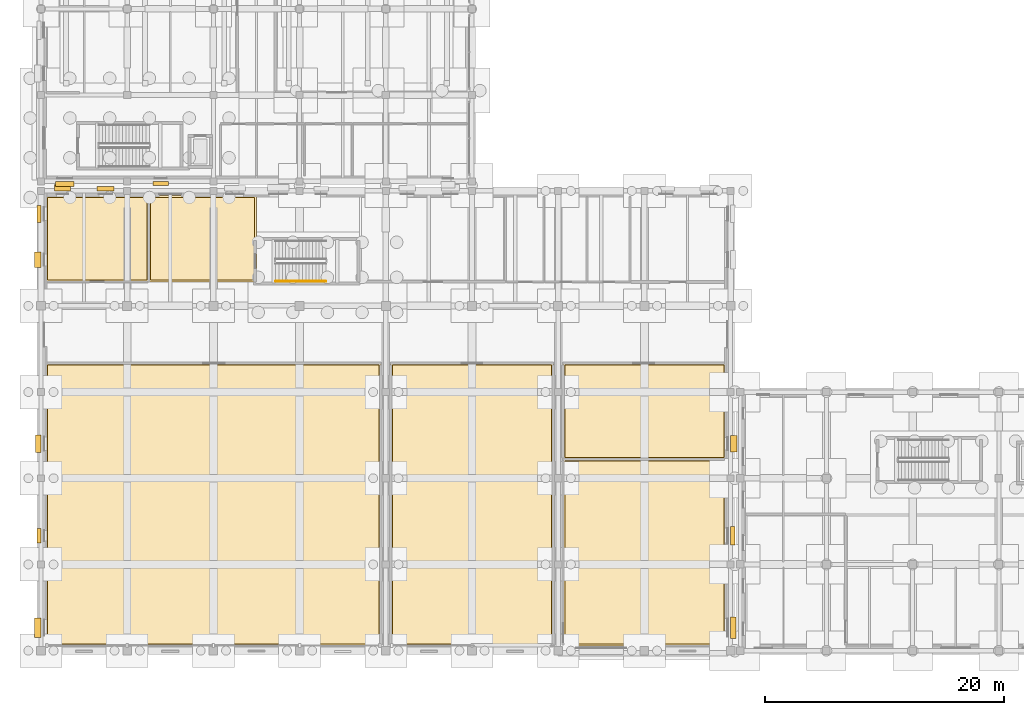
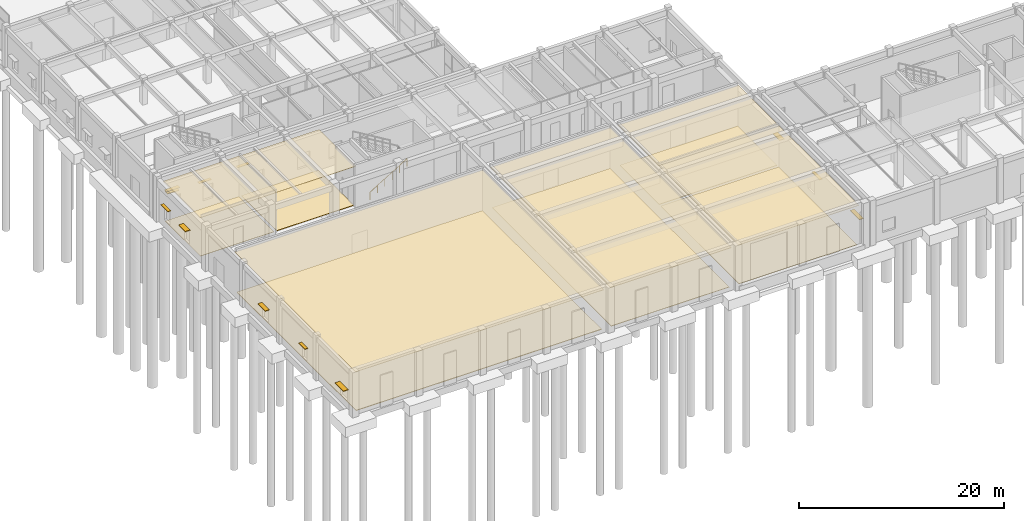
# One storey, part 80 of 91: 12 coverings, 12 shading devices, 1 railing.
"""IFC4 building model written with IfcOpenShell, lengths in metres."""

import ifcopenshell
import ifcopenshell.guid

model = None  # the IFC model being written
_history = None  # IfcOwnerHistory: only IFC2X3 demands one
_inside = {}  # id of a spatial element -> (the spatial element, [elements in it])
_under = {}  # id of a project, library or spatial element -> (it, [spatial elements below it])
_declared = {}  # id of a project -> (the project, [libraries it declares])
_typed = {}  # id of a type object -> (the type object, [elements of that type])
_made_of = {}  # id of a material, layer set ... -> (it, [elements and type objects made of it])


def new_model(schema):
    """Start an empty IFC model of exactly this schema.

    Asked for "IFC4X3", IfcOpenShell would pick the latest addendum, in which some entities
    have other attributes; the version numbers below select the first issue.
    IFC2X3 requires an IfcOwnerHistory on every rooted entity: one is made here for all.
    """
    global model, _history
    if schema == "IFC4X3":
        model = ifcopenshell.file(schema_version=(4, 3, 0, 0))
    else:
        model = ifcopenshell.file(schema=schema)
    _inside.clear()
    _under.clear()
    _declared.clear()
    _typed.clear()
    _made_of.clear()
    _history = None
    if model.schema == "IFC2X3":
        org = make("IfcOrganization", Name="unknown")
        user = make(
            "IfcPersonAndOrganization",
            ThePerson=make("IfcPerson", FamilyName="unknown"),
            TheOrganization=org,
        )
        app = make(
            "IfcApplication",
            ApplicationDeveloper=org,
            Version="unknown",
            ApplicationFullName="unknown",
            ApplicationIdentifier="unknown",
        )
        _history = make(
            "IfcOwnerHistory",
            OwningUser=user,
            OwningApplication=app,
            ChangeAction="ADDED",
            CreationDate=0,
        )
    return model


def make(cls, **values):
    """One entity of the class cls with the attributes given. An attribute that is None is left unset."""
    return model.create_entity(
        cls, **{name: value for name, value in values.items() if value is not None}
    )


def rooted(cls, **values):
    """An entity with a GlobalId (a new one), such as an element, a storey or a relation."""
    return make(cls, GlobalId=ifcopenshell.guid.new(), OwnerHistory=_history, **values)


def si_unit(unit_type, name, prefix=None):
    """IfcSIUnit, for example si_unit("LENGTHUNIT", "METRE", prefix="MILLI")."""
    return make("IfcSIUnit", UnitType=unit_type, Prefix=prefix, Name=name)


def assignment(units):
    """IfcUnitAssignment: the units of a project."""
    return None if units is None else make("IfcUnitAssignment", Units=units)


def point(xyz):
    """IfcCartesianPoint."""
    return None if xyz is None else make("IfcCartesianPoint", Coordinates=xyz)


def direction(xyz):
    """IfcDirection."""
    return None if xyz is None else make("IfcDirection", DirectionRatios=xyz)


def frame(location, z_axis=None, x_axis=None):
    """IfcAxis2Placement3D, a coordinate frame: its origin and axes. An axis left out is left unset."""
    return make(
        "IfcAxis2Placement3D",
        Location=point(location),
        Axis=direction(z_axis),
        RefDirection=direction(x_axis),
    )


def frame_2d(location, x_axis=None):
    """IfcAxis2Placement2D, a coordinate frame in the plane: its origin and x axis."""
    return make(
        "IfcAxis2Placement2D", Location=point(location), RefDirection=direction(x_axis)
    )


def origin():
    """The frame at (0, 0, 0) with its axes left unset."""
    return frame((0.0, 0.0, 0.0))


def origin_2d():
    """The frame at (0, 0) in the plane with its x axis left unset."""
    return frame_2d((0.0, 0.0))


def place(relative_to, where):
    """IfcLocalPlacement: puts the frame where relative to a parent placement (None: the world)."""
    return make(
        "IfcLocalPlacement", PlacementRelTo=relative_to, RelativePlacement=where
    )


def context(
    kind, dimensions, precision=None, world=None, true_north=None, identifier=None
):
    """IfcGeometricRepresentationContext, for example the 3D "Model" context."""
    return make(
        "IfcGeometricRepresentationContext",
        ContextIdentifier=identifier,
        ContextType=kind,
        CoordinateSpaceDimension=dimensions,
        Precision=precision,
        WorldCoordinateSystem=world,
        TrueNorth=true_north,
    )


def subcontext(parent, identifier, kind, view, scale=None):
    """IfcGeometricRepresentationSubContext, for example "Body" below "Model"."""
    return make(
        "IfcGeometricRepresentationSubContext",
        ContextIdentifier=identifier,
        ContextType=kind,
        ParentContext=parent,
        TargetScale=scale,
        TargetView=view,
    )


def project(units=None, contexts=None):
    """IfcProject with its units and contexts."""
    return rooted(
        "IfcProject",
        Name="project",
        RepresentationContexts=contexts,
        UnitsInContext=assignment(units),
    )


def spatial(cls, under=None, at=None, **own):
    """A site, building, storey or space (cls), placed at a placement, below another one or the project."""
    s = rooted(cls, ObjectPlacement=at, **own)
    if under is not None:
        _under.setdefault(under.id(), (under, []))[1].append(s)
    return s


def polyline(points):
    """IfcPolyline through the points."""
    return make("IfcPolyline", Points=[point(p) for p in points])


def profile(cls, at=None, kind="AREA", **sizes):
    """A parametric profile (cls). Its sizes go by their IFC names, for example OverallWidth=200.0."""
    return make(cls, ProfileType=kind, Position=at, **sizes)


def rectangle(**sizes):
    """IfcRectangleProfileDef."""
    return profile("IfcRectangleProfileDef", **sizes)


def circle(**sizes):
    """IfcCircleProfileDef."""
    return profile("IfcCircleProfileDef", **sizes)


def outline(outer, holes=None, kind="AREA"):
    """IfcArbitraryClosedProfileDef: a profile drawn as a closed curve; with holes, ...WithVoids."""
    if holes is None:
        return make("IfcArbitraryClosedProfileDef", ProfileType=kind, OuterCurve=outer)
    return make(
        "IfcArbitraryProfileDefWithVoids",
        ProfileType=kind,
        OuterCurve=outer,
        InnerCurves=holes,
    )


def extrude(swept, where, along, depth):
    """IfcExtrudedAreaSolid: the profile swept, set in the frame where, extruded along a direction by depth."""
    return make(
        "IfcExtrudedAreaSolid",
        SweptArea=swept,
        Position=where,
        ExtrudedDirection=direction(along),
        Depth=depth,
    )


def shape(context_of_items, identifier, shape_type, items):
    """IfcShapeRepresentation: the items that make up one representation, for example the "Body"."""
    return make(
        "IfcShapeRepresentation",
        ContextOfItems=context_of_items,
        RepresentationIdentifier=identifier,
        RepresentationType=shape_type,
        Items=items,
    )


def material(Name=None, Category=None):
    """IfcMaterial."""
    return make("IfcMaterial", Name=Name, Category=Category)


def layer(
    of_material, thickness, ventilated=None, Name=None, Category=None, Priority=None
):
    """IfcMaterialLayer: one layer of a wall or slab, of a material (None: an air gap)."""
    return make(
        "IfcMaterialLayer",
        Material=of_material,
        LayerThickness=thickness,
        IsVentilated=ventilated,
        Name=Name,
        Category=Category,
        Priority=Priority,
    )


def layer_set(layers, Name=None):
    """IfcMaterialLayerSet."""
    return make("IfcMaterialLayerSet", MaterialLayers=layers, LayerSetName=Name)


def made_of(thing, what):
    """Note that an element or type object is made of a material, layer set ...; save() writes the relation."""
    if what is not None:
        _made_of.setdefault(what.id(), (what, []))[1].append(thing)
    return thing


def type_object(cls, material=None, **own):
    """A type object (cls), such as IfcWallType, which elements share."""
    return made_of(rooted(cls, **own), material)


def element(
    cls,
    number,
    at=None,
    inside=None,
    cuts=None,
    type_object=None,
    material=None,
    context=None,
    identifier="Body",
    shape_type=None,
    held_by="IfcProductDefinitionShape",
    body=None,
    shapes=None,
    **own,
):
    """One element of the class cls, such as IfcWall. Its Tag is "e" and its number.

    at: its placement. inside: the storey or other place that contains it. cuts: it is an
    opening in that element (IfcRelVoidsElement). A single representation is given by context,
    identifier, shape_type and body (its items); several are given by shapes. held_by: the class
    of the entity that holds the representations. save() writes the other relations.
    """
    e = rooted(cls, Tag="e%d" % number, ObjectPlacement=at, **own)
    if body is not None:
        shapes = [shape(context, identifier, shape_type, body)]
    if shapes is not None:
        e.Representation = make(held_by, Representations=shapes)
    if inside is not None:
        _inside.setdefault(inside.id(), (inside, []))[1].append(e)
    if cuts is not None:
        rooted(
            "IfcRelVoidsElement", RelatingBuildingElement=cuts, RelatedOpeningElement=e
        )
    if type_object is not None:
        _typed.setdefault(type_object.id(), (type_object, []))[1].append(e)
    return made_of(e, material)


def aggregate(whole, parts):
    """IfcRelAggregates: a whole, such as a stair, and the parts it consists of."""
    return rooted("IfcRelAggregates", RelatingObject=whole, RelatedObjects=parts)


def save(model, path):
    """Write the relations noted so far, then the file.

    IfcRelAggregates (storeys below a building ...), IfcRelContainedInSpatialStructure (elements
    in a storey), IfcRelDefinesByType, IfcRelAssociatesMaterial and IfcRelDeclares: one each for
    every whole, place, type object, material and project.
    """
    for whole, parts in _under.values():
        aggregate(whole, parts)
    for where, things in _inside.values():
        rooted(
            "IfcRelContainedInSpatialStructure",
            RelatedElements=things,
            RelatingStructure=where,
        )
    for kind, things in _typed.values():
        rooted("IfcRelDefinesByType", RelatedObjects=things, RelatingType=kind)
    for what, things in _made_of.values():
        rooted("IfcRelAssociatesMaterial", RelatedObjects=things, RelatingMaterial=what)
    for by, libraries in _declared.values():
        rooted("IfcRelDeclares", RelatingContext=by, RelatedDefinitions=libraries)
    model.write(path)


model = new_model("IFC4")

# Units and contexts
model_context = context("Model", 3, precision=1e-05, world=origin(), true_north=direction((0.0, 1.0)))
body_context = subcontext(model_context, "Body", "Model", "MODEL_VIEW")
ifc_project = project(units=[si_unit("LENGTHUNIT", "METRE"), si_unit("AREAUNIT", "SQUARE_METRE"), si_unit("VOLUMEUNIT", "CUBIC_METRE"), si_unit("PLANEANGLEUNIT", "RADIAN"), si_unit("MASSUNIT", "GRAM", prefix="KILO")], contexts=[model_context])

# Site, building, storey
site_placement = place(None, origin())
site = spatial("IfcSite", under=ifc_project, at=site_placement, CompositionType="ELEMENT")
building_placement = place(site_placement, origin())
building = spatial("IfcBuilding", under=site, at=building_placement, Name="Bramveld Media Centre", CompositionType="ELEMENT")
storey_placement = place(building_placement, origin())
storey = spatial("IfcBuildingStorey", under=building, at=storey_placement, Name="L00", CompositionType="ELEMENT", Elevation=0.0)

# Coverings
ifc_material_1 = material(Name="Perforated acoustic mineral-fibre & oak-slat suspended ceiling")
ifc_layer_1 = layer(ifc_material_1, 0.044921875)
ifc_layer_set_1 = layer_set([ifc_layer_1], Name="Perforated acoustic mineral-fibre & oak-slat suspended ceiling")
covering_type_1 = type_object("IfcCoveringType", Name="COV-CEIL-01", PredefinedType="CEILING", material=ifc_layer_set_1)
covering_1_placement = place(storey_placement, frame((0.0, 0.0, 4.7548828125)))
element("IfcCovering", 1, at=covering_1_placement, inside=storey, type_object=covering_type_1, Name="Live Broadcast Studio 1 Multicamera Floor acoustic suspended ceiling", PredefinedType="CEILING", context=body_context, shape_type="SweptSolid", body=[
    extrude(outline(polyline([(0.39990234375, 0.39990234375), (28.39990234375, 0.39990234375), (28.39990234375, 24.0), (0.39990234375, 24.0), (0.39990234375, 0.39990234375)])), origin(), (0.0, 0.0, 1.0), 0.045166015625),
])
covering_2_placement = place(storey_placement, frame((0.0, 0.0, 4.7548828125)))
element("IfcCovering", 2, at=covering_2_placement, inside=storey, type_object=covering_type_1, Name="Scenic Dock & Acoustic Loading Bay acoustic suspended ceiling", PredefinedType="CEILING", context=body_context, shape_type="SweptSolid", body=[
    extrude(outline(polyline([(43.60009765625, 0.39990234375), (57.199951171875, 0.39990234375), (57.199951171875, 16.0), (43.60009765625, 16.0), (43.60009765625, 0.39990234375)])), origin(), (0.0, 0.0, 1.0), 0.045166015625),
])
covering_3_placement = place(storey_placement, frame((0.0, 0.0, 4.705078125)))
element("IfcCovering", 3, at=covering_3_placement, inside=storey, type_object=covering_type_1, Name="Stair ST-05 L00 Landing Lobby acoustic suspended ceiling", PredefinedType="CEILING", context=body_context, shape_type="SweptSolid", body=[
    extrude(outline(polyline([(9.0, 30.800048828125), (18.0, 30.800048828125), (18.0, 38.0), (9.0, 38.0), (9.0, 30.800048828125)])), origin(), (0.0, 0.0, 1.0), 0.044921875),
])
ifc_material_2 = material(Name="Spring-isolated studio acoustic gypsum & mineral-wool ceiling")
ifc_layer_2 = layer(ifc_material_2, 0.06005859375)
ifc_layer_set_2 = layer_set([ifc_layer_2], Name="Spring-isolated studio acoustic gypsum & mineral-wool ceiling")
covering_type_2 = type_object("IfcCoveringType", Name="COV-CEIL-02", PredefinedType="CEILING", material=ifc_layer_set_2)
covering_4_placement = place(storey_placement, frame((0.0, 0.0, 4.739990234375)))
element("IfcCovering", 4, at=covering_4_placement, inside=storey, type_object=covering_type_2, Name="Live Broadcast Studio 2 News & Debate Stage acoustic suspended ceiling", PredefinedType="CEILING", context=body_context, shape_type="SweptSolid", body=[
    extrude(outline(polyline([(29.199951171875, 0.39990234375), (42.800048828125, 0.39990234375), (42.800048828125, 24.0), (29.199951171875, 24.0), (29.199951171875, 0.39990234375)])), origin(), (0.0, 0.0, 1.0), 0.06005859375),
])
covering_5_placement = place(storey_placement, frame((0.0, 0.0, 4.739990234375)))
element("IfcCovering", 5, at=covering_5_placement, inside=storey, type_object=covering_type_2, Name="Live Broadcast Studio 3 Foley & Orchestral Stage acoustic suspended ceiling", PredefinedType="CEILING", context=body_context, shape_type="SweptSolid", body=[
    extrude(outline(polyline([(43.60009765625, 16.0), (57.199951171875, 16.0), (57.199951171875, 24.0), (43.60009765625, 24.0), (43.60009765625, 16.0)])), origin(), (0.0, 0.0, 1.0), 0.06005859375),
])
covering_6_placement = place(storey_placement, frame((0.0, 0.0, 4.68994140625)))
element("IfcCovering", 6, at=covering_6_placement, inside=storey, type_object=covering_type_2, Name="Green Room & Artist Lounge acoustic suspended ceiling", PredefinedType="CEILING", context=body_context, shape_type="SweptSolid", body=[
    extrude(outline(polyline([(0.39990234375, 30.800048828125), (9.0, 30.800048828125), (9.0, 38.0), (0.39990234375, 38.0), (0.39990234375, 30.800048828125)])), origin(), (0.0, 0.0, 1.0), 0.06005859375),
])
ifc_material_3 = material(Name="Floating acoustic screed with smoked European oak studio flooring")
ifc_layer_3 = layer(ifc_material_3, 0.06494140625)
ifc_layer_set_3 = layer_set([ifc_layer_3], Name="Floating acoustic screed with smoked European oak studio flooring")
covering_type_3 = type_object("IfcCoveringType", Name="COV-FLOOR-01", PredefinedType="FLOORING", material=ifc_layer_set_3)
covering_7_placement = place(storey_placement, origin())
element("IfcCovering", 7, at=covering_7_placement, inside=storey, type_object=covering_type_3, Name="Live Broadcast Studio 1 Multicamera Floor finish flooring", PredefinedType="FLOORING", context=body_context, shape_type="SweptSolid", body=[
    extrude(outline(polyline([(0.550048828125, 0.550048828125), (28.25, 0.550048828125), (28.25, 23.85009765625), (0.550048828125, 23.85009765625), (0.550048828125, 0.550048828125)])), origin(), (0.0, 0.0, 1.0), 0.06494140625),
])
covering_8_placement = place(storey_placement, origin())
element("IfcCovering", 8, at=covering_8_placement, inside=storey, type_object=covering_type_3, Name="Live Broadcast Studio 3 Foley & Orchestral Stage finish flooring", PredefinedType="FLOORING", context=body_context, shape_type="SweptSolid", body=[
    extrude(outline(polyline([(43.75, 16.14990234375), (57.050048828125, 16.14990234375), (57.050048828125, 23.85009765625), (43.75, 23.85009765625), (43.75, 16.14990234375)])), origin(), (0.0, 0.0, 1.0), 0.06494140625),
])
ifc_material_4 = material(Name="Honed Belgian bluestone (petit granit) public concourse flooring", Category="masonry")
ifc_layer_4 = layer(ifc_material_4, 0.050048828125)
ifc_layer_set_4 = layer_set([ifc_layer_4], Name="Honed Belgian bluestone (petit granit) public concourse flooring")
covering_type_4 = type_object("IfcCoveringType", Name="COV-FLOOR-02", PredefinedType="FLOORING", material=ifc_layer_set_4)
covering_9_placement = place(storey_placement, origin())
element("IfcCovering", 9, at=covering_9_placement, inside=storey, type_object=covering_type_4, Name="Live Broadcast Studio 2 News & Debate Stage finish flooring", PredefinedType="FLOORING", context=body_context, shape_type="SweptSolid", body=[
    extrude(outline(polyline([(29.35009765625, 0.550048828125), (42.64990234375, 0.550048828125), (42.64990234375, 23.85009765625), (29.35009765625, 23.85009765625), (29.35009765625, 0.550048828125)])), origin(), (0.0, 0.0, 1.0), 0.050048828125),
])
covering_10_placement = place(storey_placement, origin())
element("IfcCovering", 10, at=covering_10_placement, inside=storey, type_object=covering_type_4, Name="Stair ST-05 L00 Landing Lobby finish flooring", PredefinedType="FLOORING", context=body_context, shape_type="SweptSolid", body=[
    extrude(outline(polyline([(9.14990234375, 30.949951171875), (17.85009765625, 30.949951171875), (17.85009765625, 37.85009765625), (9.14990234375, 37.85009765625), (9.14990234375, 30.949951171875)])), origin(), (0.0, 0.0, 1.0), 0.050048828125),
])
ifc_material_5 = material(Name="Anti-static acoustic linoleum editing & vault flooring")
ifc_layer_5 = layer(ifc_material_5, 0.0400390625)
ifc_layer_set_5 = layer_set([ifc_layer_5], Name="Anti-static acoustic linoleum editing & vault flooring")
covering_type_5 = type_object("IfcCoveringType", Name="COV-FLOOR-03", PredefinedType="FLOORING", material=ifc_layer_set_5)
covering_11_placement = place(storey_placement, origin())
element("IfcCovering", 11, at=covering_11_placement, inside=storey, type_object=covering_type_5, Name="Scenic Dock & Acoustic Loading Bay finish flooring", PredefinedType="FLOORING", context=body_context, shape_type="SweptSolid", body=[
    extrude(outline(polyline([(43.75, 0.550048828125), (57.050048828125, 0.550048828125), (57.050048828125, 15.85009765625), (43.75, 15.85009765625), (43.75, 0.550048828125)])), origin(), (0.0, 0.0, 1.0), 0.0400390625),
])
covering_12_placement = place(storey_placement, origin())
element("IfcCovering", 12, at=covering_12_placement, inside=storey, type_object=covering_type_5, Name="Green Room & Artist Lounge finish flooring", PredefinedType="FLOORING", context=body_context, shape_type="SweptSolid", body=[
    extrude(outline(polyline([(0.550048828125, 30.949951171875), (8.85009765625, 30.949951171875), (8.85009765625, 37.85009765625), (0.550048828125, 37.85009765625), (0.550048828125, 30.949951171875)])), origin(), (0.0, 0.0, 1.0), 0.0400390625),
])

# Railing
ifc_material_6 = material(Name="Brushed stainless steel tubular stair handrail", Category="steel")
railing_type = type_object("IfcRailingType", Name="RAIL-STAIR-HAND-0920", PredefinedType="HANDRAIL", material=ifc_material_6)
railing_placement = place(storey_placement, frame((19.60009765625, 30.85009765625, 0.168701171875)))
element("IfcRailing", 13, at=railing_placement, inside=storey, type_object=railing_type, Name="L00 ST-05 stair handrail 1", PredefinedType="HANDRAIL", context=body_context, shape_type="SweptSolid", body=[
    extrude(circle(Radius=0.02392578125, at=origin_2d()), frame((0.0, 0.0, 0.8759765625), z_axis=(0.856476492594, 0.0, 0.516186030065), x_axis=(0.0, 1.0, 0.0)), (0.0, 0.0, 1.0), 4.90380859375),
    extrude(circle(Radius=0.02099609375, at=origin_2d()), origin(), (0.0, 0.0, 1.0), 0.851806640625),
    extrude(circle(Radius=0.02099609375, at=origin_2d()), frame((0.840087890625, 0.0, 0.50634765625)), (0.0, 0.0, 1.0), 0.851806640625),
    extrude(circle(Radius=0.02099609375, at=origin_2d()), frame((1.679931640625, 0.0, 1.012451171875)), (0.0, 0.0, 1.0), 0.851806640625),
    extrude(circle(Radius=0.02099609375, at=origin_2d()), frame((2.52001953125, 0.0, 1.518798828125)), (0.0, 0.0, 1.0), 0.851806640625),
    extrude(circle(Radius=0.02099609375, at=origin_2d()), frame((3.35986328125, 0.0, 2.02490234375)), (0.0, 0.0, 1.0), 0.851806640625),
    extrude(circle(Radius=0.02099609375, at=origin_2d()), frame((4.199951171875, 0.0, 2.53125)), (0.0, 0.0, 1.0), 0.851806640625),
])

# Shading devices
ifc_material_7 = material(Name="Anodized bronze extruded aluminium solar shading fin", Category="aluminium")
shading_device_type_1 = type_object("IfcShadingDeviceType", Name="SHD-BRISE-350", PredefinedType="JALOUSIE", material=ifc_material_7)
shading_device_1_placement = place(storey_placement, frame((57.77490234375, 9.60009765625, 2.510009765625), z_axis=(0.0, 0.0, 1.0), x_axis=(1.0, 0.0, 0.0)))
element("IfcShadingDevice", 14, at=shading_device_1_placement, inside=storey, type_object=shading_device_type_1, Name="Bronze solar shading fin 48", PredefinedType="JALOUSIE", context=body_context, shape_type="SweptSolid", body=[
    extrude(rectangle(XDim=0.35009765625, YDim=1.550048828125, at=origin_2d()), origin(), (0.0, 0.0, 1.0), 0.06005859375),
])
shading_device_2_placement = place(storey_placement, frame((5.39990234375, 38.574951171875, 2.659912109375), z_axis=(0.0, 0.0, 1.0), x_axis=(1.0, 0.0, 0.0)))
element("IfcShadingDevice", 15, at=shading_device_2_placement, inside=storey, type_object=shading_device_type_1, Name="Bronze solar shading fin 51", PredefinedType="JALOUSIE", context=body_context, shape_type="SweptSolid", body=[
    extrude(rectangle(XDim=1.419921875, YDim=0.35009765625, at=origin_2d()), origin(), (0.0, 0.0, 1.0), 0.06005859375),
])
shading_device_3_placement = place(storey_placement, frame((-0.175048828125, 9.60009765625, 2.510009765625), z_axis=(0.0, 0.0, 1.0), x_axis=(1.0, 0.0, 0.0)))
element("IfcShadingDevice", 16, at=shading_device_3_placement, inside=storey, type_object=shading_device_type_1, Name="Bronze solar shading fin 60", PredefinedType="JALOUSIE", context=body_context, shape_type="SweptSolid", body=[
    extrude(rectangle(XDim=0.35009765625, YDim=1.199951171875, at=origin_2d()), origin(), (0.0, 0.0, 1.0), 0.06005859375),
])
shading_device_4_placement = place(storey_placement, frame((-0.175048828125, 36.47998046875, 2.659912109375), z_axis=(0.0, 0.0, 1.0), x_axis=(1.0, 0.0, 0.0)))
element("IfcShadingDevice", 17, at=shading_device_4_placement, inside=storey, type_object=shading_device_type_1, Name="Bronze solar shading fin 63", PredefinedType="JALOUSIE", context=body_context, shape_type="SweptSolid", body=[
    extrude(rectangle(XDim=0.35009765625, YDim=1.419921875, at=origin_2d()), origin(), (0.0, 0.0, 1.0), 0.06005859375),
])
shading_device_5_placement = place(storey_placement, frame((10.0, 39.02490234375, 2.659912109375), z_axis=(0.0, 0.0, 1.0), x_axis=(1.0, 0.0, 0.0)))
element("IfcShadingDevice", 18, at=shading_device_5_placement, inside=storey, type_object=shading_device_type_1, Name="Bronze solar shading fin 99", PredefinedType="JALOUSIE", context=body_context, shape_type="SweptSolid", body=[
    extrude(rectangle(XDim=1.300048828125, YDim=0.35009765625, at=origin_2d()), origin(), (0.0, 0.0, 1.0), 0.06005859375),
])
ifc_material_8 = material(Name="Anodized bronze extruded aluminium solar shading fin", Category="aluminium")
shading_device_type_2 = type_object("IfcShadingDeviceType", Name="SHD-BRISE-450", PredefinedType="JALOUSIE", material=ifc_material_8)
shading_device_6_placement = place(storey_placement, frame((57.824951171875, 1.919921875, 2.510009765625), z_axis=(0.0, 0.0, 1.0), x_axis=(1.0, 0.0, 0.0)))
element("IfcShadingDevice", 19, at=shading_device_6_placement, inside=storey, type_object=shading_device_type_2, Name="Bronze solar shading fin 49", PredefinedType="JALOUSIE", context=body_context, shape_type="SweptSolid", body=[
    extrude(rectangle(XDim=0.449951171875, YDim=1.800048828125, at=origin_2d()), origin(), (0.0, 0.0, 1.0), 0.06005859375),
])
shading_device_7_placement = place(storey_placement, frame((-0.22509765625, 17.280029296875, 2.510009765625), z_axis=(0.0, 0.0, 1.0), x_axis=(1.0, 0.0, 0.0)))
element("IfcShadingDevice", 20, at=shading_device_7_placement, inside=storey, type_object=shading_device_type_2, Name="Bronze solar shading fin 61", PredefinedType="JALOUSIE", context=body_context, shape_type="SweptSolid", body=[
    extrude(rectangle(XDim=0.449951171875, YDim=1.449951171875, at=origin_2d()), origin(), (0.0, 0.0, 1.0), 0.06005859375),
])
shading_device_8_placement = place(storey_placement, frame((2.0, 38.97509765625, 2.659912109375), z_axis=(0.0, 0.0, 1.0), x_axis=(1.0, 0.0, 0.0)))
element("IfcShadingDevice", 21, at=shading_device_8_placement, inside=storey, type_object=shading_device_type_2, Name="Bronze solar shading fin 100", PredefinedType="JALOUSIE", context=body_context, shape_type="SweptSolid", body=[
    extrude(rectangle(XDim=1.5400390625, YDim=0.449951171875, at=origin_2d()), origin(), (0.0, 0.0, 1.0), 0.06005859375),
])
ifc_material_9 = material(Name="Anodized bronze extruded aluminium solar shading fin", Category="aluminium")
shading_device_type_3 = type_object("IfcShadingDeviceType", Name="SHD-BRISE-550", PredefinedType="JALOUSIE", material=ifc_material_9)
shading_device_9_placement = place(storey_placement, frame((57.875, 17.280029296875, 2.510009765625), z_axis=(0.0, 0.0, 1.0), x_axis=(1.0, 0.0, 0.0)))
element("IfcShadingDevice", 22, at=shading_device_9_placement, inside=storey, type_object=shading_device_type_3, Name="Bronze solar shading fin 47", PredefinedType="JALOUSIE", context=body_context, shape_type="SweptSolid", body=[
    extrude(rectangle(XDim=0.550048828125, YDim=1.35009765625, at=origin_2d()), origin(), (0.0, 0.0, 1.0), 0.06005859375),
])
shading_device_10_placement = place(storey_placement, frame((1.800048828125, 38.675048828125, 2.659912109375), z_axis=(0.0, 0.0, 1.0), x_axis=(1.0, 0.0, 0.0)))
element("IfcShadingDevice", 23, at=shading_device_10_placement, inside=storey, type_object=shading_device_type_3, Name="Bronze solar shading fin 50", PredefinedType="JALOUSIE", context=body_context, shape_type="SweptSolid", body=[
    extrude(rectangle(XDim=1.300048828125, YDim=0.550048828125, at=origin_2d()), origin(), (0.0, 0.0, 1.0), 0.06005859375),
])
shading_device_11_placement = place(storey_placement, frame((-0.27490234375, 1.919921875, 2.35986328125), z_axis=(0.0, 0.0, 1.0), x_axis=(1.0, 0.0, 0.0)))
element("IfcShadingDevice", 24, at=shading_device_11_placement, inside=storey, type_object=shading_device_type_3, Name="Bronze solar shading fin 59", PredefinedType="JALOUSIE", context=body_context, shape_type="SweptSolid", body=[
    extrude(rectangle(XDim=0.550048828125, YDim=1.64990234375, at=origin_2d()), origin(), (0.0, 0.0, 1.0), 0.06005859375),
])
shading_device_12_placement = place(storey_placement, frame((-0.27490234375, 32.639892578125, 2.659912109375), z_axis=(0.0, 0.0, 1.0), x_axis=(1.0, 0.0, 0.0)))
element("IfcShadingDevice", 25, at=shading_device_12_placement, inside=storey, type_object=shading_device_type_3, Name="Bronze solar shading fin 62", PredefinedType="JALOUSIE", context=body_context, shape_type="SweptSolid", body=[
    extrude(rectangle(XDim=0.550048828125, YDim=1.300048828125, at=origin_2d()), origin(), (0.0, 0.0, 1.0), 0.06005859375),
])

save(model, "model.ifc")
